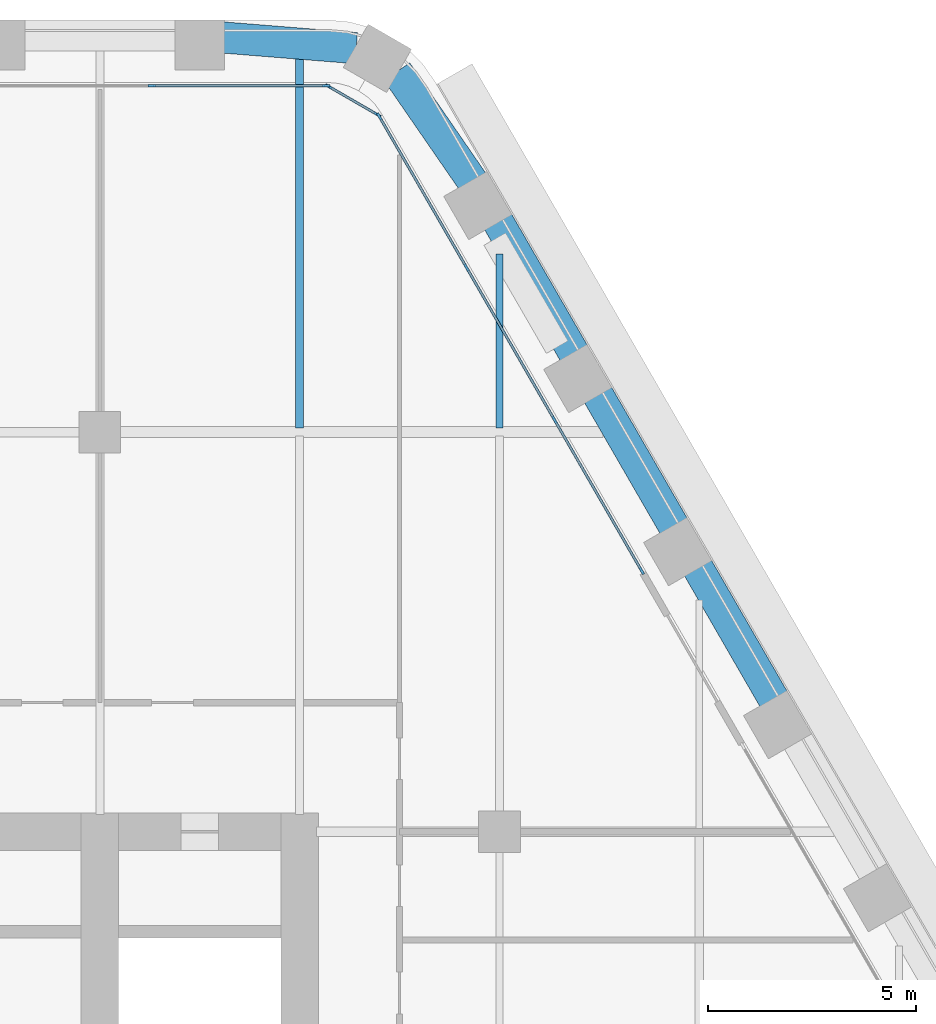
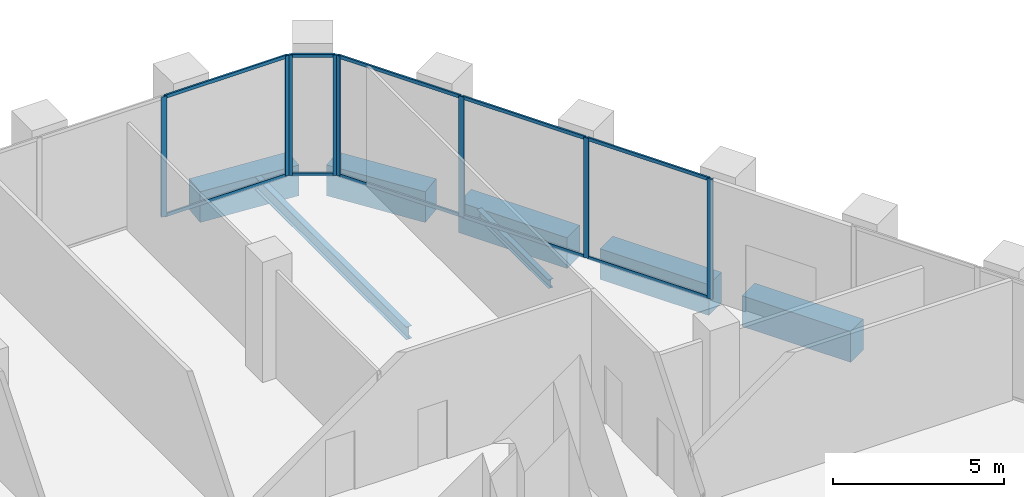
# One storey, part 11 of 27: 18 members, 7 beams, 3 elements without a shape of their own.
"""IFC4 building model written with IfcOpenShell, lengths in metres."""

from ifc_helpers import new_model, si_unit, direction, frame, origin, origin_2d, place, context, subcontext, project, spatial, rectangle, i_section, extrude, material, material_profile, profile_set, type_object, element, aggregate, save


model = new_model("IFC4")

# Units and contexts
model_context = context("Model", 3, precision=1e-05, world=origin(), true_north=direction((0.0, 1.0)))
body_context = subcontext(model_context, "Body", "Model", "MODEL_VIEW")
ifc_project = project(units=[si_unit("LENGTHUNIT", "METRE"), si_unit("AREAUNIT", "SQUARE_METRE"), si_unit("VOLUMEUNIT", "CUBIC_METRE"), si_unit("PLANEANGLEUNIT", "RADIAN"), si_unit("MASSUNIT", "GRAM", prefix="KILO")], contexts=[model_context])

# Site, building, storey
site_placement = place(None, origin())
site = spatial("IfcSite", under=ifc_project, at=site_placement, CompositionType="ELEMENT")
building_placement = place(site_placement, origin())
building = spatial("IfcBuilding", under=site, at=building_placement, Name="Kolab Exchange Tower", CompositionType="ELEMENT")
storey_placement = place(building_placement, frame((0.0, 0.0, 109.39990234375)))
storey = spatial("IfcBuildingStorey", under=building, at=storey_placement, Name="L21", CompositionType="ELEMENT", Elevation=109.39990234375)

# Beams
ifc_material_1 = material(Name="Steel S355", Category="steel")
ifc_material_profile_1 = material_profile(ifc_material_1, i_section(OverallWidth=0.1650390625, OverallDepth=0.31005859375, WebThickness=0.005859375, FlangeThickness=0.009765625, at=origin_2d()), Name="W310X39")
ifc_profile_set_1 = profile_set([ifc_material_profile_1], Name="Steel S355")
beam_type_1 = type_object("IfcBeamType", Name="FLOOR BEAM W310X39", PredefinedType="BEAM", material=ifc_profile_set_1)
beam_1_placement = place(storey_placement, frame((19.199951171875, 19.29345703125, -0.35498046875), z_axis=(0.0, 1.0, 0.0), x_axis=(-1.0, 0.0, 0.0)))
element("IfcBeam", 1, at=beam_1_placement, inside=storey, type_object=beam_type_1, Name="beam/L21/fr/045", PredefinedType="BEAM", context=body_context, shape_type="SweptSolid", body=[
    extrude(i_section(OverallWidth=0.1650390625, OverallDepth=0.31005859375, WebThickness=0.005859375, FlangeThickness=0.009765625, at=origin_2d()), origin(), (0.0, 0.0, 1.0), 4.18798828125),
])
ifc_material_profile_2 = material_profile(ifc_material_1, i_section(OverallWidth=0.18994140625, OverallDepth=0.45703125, WebThickness=0.009033203125, FlangeThickness=0.014404296875, at=origin_2d()), Name="W460X74")
ifc_profile_set_2 = profile_set([ifc_material_profile_2], Name="Steel S355")
beam_type_2 = type_object("IfcBeamType", Name="FLOOR BEAM W460X74", PredefinedType="BEAM", material=ifc_profile_set_2)
beam_2_placement = place(storey_placement, frame((14.39990234375, 19.29345703125, -0.428466796875), z_axis=(0.0, 1.0, 0.0), x_axis=(-1.0, 0.0, 0.0)))
element("IfcBeam", 2, at=beam_2_placement, inside=storey, type_object=beam_type_2, Name="beam/L21/fr/039", PredefinedType="BEAM", context=body_context, shape_type="SweptSolid", body=[
    extrude(i_section(OverallWidth=0.18994140625, OverallDepth=0.45703125, WebThickness=0.009033203125, FlangeThickness=0.014404296875, at=origin_2d()), origin(), (0.0, 0.0, 1.0), 8.901123046875),
])
ifc_material_2 = material(Name="Concrete C70/85", Category="concrete")
ifc_material_profile_3 = material_profile(ifc_material_2, rectangle(XDim=0.75, YDim=1.10009765625, at=origin_2d()), Name="RC750X1100")
ifc_profile_set_3 = profile_set([ifc_material_profile_3], Name="Concrete C70/85")
beam_type_3 = type_object("IfcBeamType", Name="SPANDREL BEAM 750X1100 C70/85", PredefinedType="BEAM", material=ifc_profile_set_3)
for number, where, z_axis, x_axis, name in (
    (3, (12.56005859375, 28.678466796875, -0.75), (0.996791038408, -0.080047646748, 0.0), (0.080047646748, 0.996791038408, 0.0), "beam/L21/sp/F1-07"),
    (4, (16.73486328125, 27.85791015625, -0.75), (0.567661826262, -0.823261836237, 0.0), (0.823261836237, 0.567661826262, 0.0), "beam/L21/sp/F2-01"),
):
    element("IfcBeam", number, at=place(storey_placement, frame(where, z_axis=z_axis, x_axis=x_axis)), inside=storey, type_object=beam_type_3, Name=name, PredefinedType="BEAM", context=body_context, shape_type="SweptSolid", body=[
        extrude(rectangle(XDim=0.75, YDim=1.10009765625, at=origin_2d()), origin(), (0.0, 0.0, 1.0), 3.20849609375),
    ])
for number, where, z_axis, x_axis, name in (
    (5, (19.1552734375, 24.26904296875, -0.75), (0.500013413428, -0.866017659399, 0.0), (0.866017659399, 0.500013413428, 0.0), "beam/L21/sp/F2-02"),
    (6, (21.55517578125, 20.112060546875, -0.75), (0.500013413428, -0.866017659399, 0.0), (0.866017659399, 0.500013413428, 0.0), "beam/L21/sp/F2-03"),
):
    element("IfcBeam", number, at=place(storey_placement, frame(where, z_axis=z_axis, x_axis=x_axis)), inside=storey, type_object=beam_type_3, Name=name, PredefinedType="BEAM", context=body_context, shape_type="SweptSolid", body=[
        extrude(rectangle(XDim=0.75, YDim=1.10009765625, at=origin_2d()), origin(), (0.0, 0.0, 1.0), 3.68017578125),
    ])
beam_3_placement = place(storey_placement, frame((23.955322265625, 15.955322265625, -0.75), z_axis=(0.499963655964, -0.866046386007, 0.0), x_axis=(0.866046386007, 0.499963655964, 0.0)))
element("IfcBeam", 7, at=beam_3_placement, inside=storey, type_object=beam_type_3, Name="beam/L21/sp/F2-04", PredefinedType="BEAM", context=body_context, shape_type="SweptSolid", body=[
    extrude(rectangle(XDim=0.75, YDim=1.10009765625, at=origin_2d()), origin(), (0.0, 0.0, 1.0), 3.679931640625),
])

# Curtain wall, members
ifc_material_3 = material(Name="Aluminium EN AW-6063 T6", Category="aluminium")
curtain_wall_type = type_object("IfcCurtainWallType", Name="UNITISED LOWER MID ZONE CURTAIN WALL", PredefinedType="NOTDEFINED", material=ifc_material_3)
curtain_wall_1_placement = place(storey_placement, origin())
curtain_wall_1 = element("IfcCurtainWall", 8, at=curtain_wall_1_placement, inside=storey, type_object=curtain_wall_type, Name="cw/L21/F1-2", PredefinedType="NOTDEFINED")
ifc_material_profile_4 = material_profile(ifc_material_3, rectangle(XDim=0.06005859375, YDim=0.179931640625, at=origin_2d()), Name="RECT 60X180")
ifc_profile_set_4 = profile_set([ifc_material_profile_4], Name="Aluminium EN AW-6063 T6")
member_type_1 = type_object("IfcMemberType", Name="UNITISED LOWER MID ZONE MULLION 60 X 180", PredefinedType="MULLION", material=ifc_profile_set_4)
member_1_placement = place(storey_placement, frame((10.84521484375, 27.5185546875, 0.0), z_axis=(0.0, 0.0, 1.0), x_axis=(0.0, 1.0, 0.0)))
member_1 = element("IfcMember", 9, at=member_1_placement, type_object=member_type_1, Name="CW2 mullion 3", PredefinedType="MULLION", context=body_context, shape_type="SweptSolid", body=[
    extrude(rectangle(XDim=0.06005859375, YDim=0.179931640625, at=origin_2d()), origin(), (0.0, 0.0, 1.0), 4.300048828125),
])
member_2_placement = place(storey_placement, frame((15.037841796875, 27.5185546875, 0.0), z_axis=(0.0, 0.0, 1.0), x_axis=(0.0, 1.0, 0.0)))
member_2 = element("IfcMember", 10, at=member_2_placement, type_object=member_type_1, Name="CW2 mullion 4", PredefinedType="MULLION", context=body_context, shape_type="SweptSolid", body=[
    extrude(rectangle(XDim=0.06005859375, YDim=0.179931640625, at=origin_2d()), origin(), (0.0, 0.0, 1.0), 4.300048828125),
])

curtain_wall_2_placement = place(storey_placement, origin())
curtain_wall_2 = element("IfcCurtainWall", 11, at=curtain_wall_2_placement, inside=storey, type_object=curtain_wall_type, Name="cw/L21/F2-1", PredefinedType="NOTDEFINED")
member_3_placement = place(storey_placement, frame((16.312744140625, 26.782470703125, 0.0), z_axis=(0.0, 0.0, 1.0), x_axis=(0.866025393644, 0.500000017564, 0.0)))
member_3 = element("IfcMember", 12, at=member_3_placement, type_object=member_type_1, Name="CW2 mullion 1", PredefinedType="MULLION", context=body_context, shape_type="SweptSolid", body=[
    extrude(rectangle(XDim=0.06005859375, YDim=0.179931640625, at=origin_2d()), origin(), (0.0, 0.0, 1.0), 4.300048828125),
])
member_4_placement = place(storey_placement, frame((18.408935546875, 23.151611328125, 0.0), z_axis=(0.0, 0.0, 1.0), x_axis=(0.866025393644, 0.500000017564, 0.0)))
member_4 = element("IfcMember", 13, at=member_4_placement, type_object=member_type_1, Name="CW2 mullion 2", PredefinedType="MULLION", context=body_context, shape_type="SweptSolid", body=[
    extrude(rectangle(XDim=0.06005859375, YDim=0.179931640625, at=origin_2d()), origin(), (0.0, 0.0, 1.0), 4.300048828125),
])
member_5_placement = place(storey_placement, frame((20.520263671875, 19.49462890625, 0.0), z_axis=(0.0, 0.0, 1.0), x_axis=(0.866025393644, 0.500000017564, 0.0)))
member_5 = element("IfcMember", 14, at=member_5_placement, type_object=member_type_1, Name="CW2 mullion 3", PredefinedType="MULLION", context=body_context, shape_type="SweptSolid", body=[
    extrude(rectangle(XDim=0.06005859375, YDim=0.179931640625, at=origin_2d()), origin(), (0.0, 0.0, 1.0), 4.300048828125),
])
member_6_placement = place(storey_placement, frame((22.61669921875, 15.86376953125, 0.0), z_axis=(0.0, 0.0, 1.0), x_axis=(0.866025393644, 0.500000017564, 0.0)))
member_6 = element("IfcMember", 15, at=member_6_placement, type_object=member_type_1, Name="CW2 mullion 4", PredefinedType="MULLION", context=body_context, shape_type="SweptSolid", body=[
    extrude(rectangle(XDim=0.06005859375, YDim=0.179931640625, at=origin_2d()), origin(), (0.0, 0.0, 1.0), 4.300048828125),
])

curtain_wall_3_placement = place(storey_placement, origin())
curtain_wall_3 = element("IfcCurtainWall", 16, at=curtain_wall_3_placement, inside=storey, type_object=curtain_wall_type, Name="cw/L21/F1F2-corner", PredefinedType="NOTDEFINED")
member_7_placement = place(storey_placement, frame((15.093994140625, 27.50341796875, 0.0), z_axis=(0.0, 0.0, 1.0), x_axis=(0.50000002237, 0.866025390869, 0.0)))
member_7 = element("IfcMember", 17, at=member_7_placement, type_object=member_type_1, Name="CW2 mullion 1", PredefinedType="MULLION", context=body_context, shape_type="SweptSolid", body=[
    extrude(rectangle(XDim=0.06005859375, YDim=0.179931640625, at=origin_2d()), origin(), (0.0, 0.0, 1.0), 4.300048828125),
])
member_8_placement = place(storey_placement, frame((16.271728515625, 26.823486328125, 0.0), z_axis=(0.0, 0.0, 1.0), x_axis=(0.50000002237, 0.866025390869, 0.0)))
member_8 = element("IfcMember", 18, at=member_8_placement, type_object=member_type_1, Name="CW2 mullion 2", PredefinedType="MULLION", context=body_context, shape_type="SweptSolid", body=[
    extrude(rectangle(XDim=0.06005859375, YDim=0.179931640625, at=origin_2d()), origin(), (0.0, 0.0, 1.0), 4.300048828125),
])

# Member
ifc_material_profile_5 = material_profile(ifc_material_3, rectangle(XDim=0.06005859375, YDim=0.1201171875, at=origin_2d()), Name="RECT 60X120")
ifc_profile_set_5 = profile_set([ifc_material_profile_5], Name="Aluminium EN AW-6063 T6")
member_type_2 = type_object("IfcMemberType", Name="UNITISED LOWER MID ZONE TRANSOM 60 X 120", PredefinedType="USERDEFINED", material=ifc_profile_set_5)
member_9_placement = place(storey_placement, frame((10.875244140625, 27.5185546875, 0.030029296875), z_axis=(1.0, 0.0, 0.0), x_axis=(0.0, 1.0, 0.0)))
member_9 = element("IfcMember", 19, at=member_9_placement, type_object=member_type_2, Name="CW2 transom 3.1", ObjectType="TRANSOM", PredefinedType="USERDEFINED", context=body_context, shape_type="SweptSolid", body=[
    extrude(rectangle(XDim=0.06005859375, YDim=0.1201171875, at=origin_2d()), origin(), (0.0, 0.0, 1.0), 4.1328125),
])

member_10_placement = place(storey_placement, frame((10.875244140625, 27.5185546875, 4.27001953125), z_axis=(1.0, 0.0, 0.0), x_axis=(0.0, 1.0, 0.0)))
member_10 = element("IfcMember", 20, at=member_10_placement, type_object=member_type_2, Name="CW2 transom 3.2", ObjectType="TRANSOM", PredefinedType="USERDEFINED", context=body_context, shape_type="SweptSolid", body=[
    extrude(rectangle(XDim=0.06005859375, YDim=0.1201171875, at=origin_2d()), origin(), (0.0, 0.0, 1.0), 4.1328125),
])

aggregate(curtain_wall_1, [member_1, member_2, member_9, member_10])

member_11_placement = place(storey_placement, frame((16.32763671875, 26.756591796875, 0.030029296875), z_axis=(0.500001996123, -0.866024251319, 0.0), x_axis=(0.866024251319, 0.500001996123, 0.0)))
member_11 = element("IfcMember", 21, at=member_11_placement, type_object=member_type_2, Name="CW2 transom 1.1", ObjectType="TRANSOM", PredefinedType="USERDEFINED", context=body_context, shape_type="SweptSolid", body=[
    extrude(rectangle(XDim=0.06005859375, YDim=0.1201171875, at=origin_2d()), origin(), (0.0, 0.0, 1.0), 4.1328125),
])

member_12_placement = place(storey_placement, frame((16.32763671875, 26.756591796875, 4.27001953125), z_axis=(0.500001996123, -0.866024251319, 0.0), x_axis=(0.866024251319, 0.500001996123, 0.0)))
member_12 = element("IfcMember", 22, at=member_12_placement, type_object=member_type_2, Name="CW2 transom 1.2", ObjectType="TRANSOM", PredefinedType="USERDEFINED", context=body_context, shape_type="SweptSolid", body=[
    extrude(rectangle(XDim=0.06005859375, YDim=0.1201171875, at=origin_2d()), origin(), (0.0, 0.0, 1.0), 4.1328125),
])

member_13_placement = place(storey_placement, frame((18.424072265625, 23.12548828125, 0.030029296875), z_axis=(0.49999322259, -0.866029316688, 0.0), x_axis=(0.866029316688, 0.49999322259, 0.0)))
member_13 = element("IfcMember", 23, at=member_13_placement, type_object=member_type_2, Name="CW2 transom 2.1", ObjectType="TRANSOM", PredefinedType="USERDEFINED", context=body_context, shape_type="SweptSolid", body=[
    extrude(rectangle(XDim=0.06005859375, YDim=0.1201171875, at=origin_2d()), origin(), (0.0, 0.0, 1.0), 4.16259765625),
])

member_14_placement = place(storey_placement, frame((18.424072265625, 23.12548828125, 4.27001953125), z_axis=(0.49999322259, -0.866029316688, 0.0), x_axis=(0.866029316688, 0.49999322259, 0.0)))
member_14 = element("IfcMember", 24, at=member_14_placement, type_object=member_type_2, Name="CW2 transom 2.2", ObjectType="TRANSOM", PredefinedType="USERDEFINED", context=body_context, shape_type="SweptSolid", body=[
    extrude(rectangle(XDim=0.06005859375, YDim=0.1201171875, at=origin_2d()), origin(), (0.0, 0.0, 1.0), 4.16259765625),
])

member_15_placement = place(storey_placement, frame((20.535400390625, 19.46875, 0.030029296875), z_axis=(0.499957688808, -0.866049830784, 0.0), x_axis=(0.866049830784, 0.499957688808, 0.0)))
member_15 = element("IfcMember", 25, at=member_15_placement, type_object=member_type_2, Name="CW2 transom 3.1", ObjectType="TRANSOM", PredefinedType="USERDEFINED", context=body_context, shape_type="SweptSolid", body=[
    extrude(rectangle(XDim=0.06005859375, YDim=0.1201171875, at=origin_2d()), origin(), (0.0, 0.0, 1.0), 4.132568359375),
])

member_16_placement = place(storey_placement, frame((20.535400390625, 19.46875, 4.27001953125), z_axis=(0.499957688808, -0.866049830784, 0.0), x_axis=(0.866049830784, 0.499957688808, 0.0)))
member_16 = element("IfcMember", 26, at=member_16_placement, type_object=member_type_2, Name="CW2 transom 3.2", ObjectType="TRANSOM", PredefinedType="USERDEFINED", context=body_context, shape_type="SweptSolid", body=[
    extrude(rectangle(XDim=0.06005859375, YDim=0.1201171875, at=origin_2d()), origin(), (0.0, 0.0, 1.0), 4.132568359375),
])

aggregate(curtain_wall_2, [member_3, member_4, member_5, member_6, member_11, member_12, member_13, member_14, member_15, member_16])

member_17_placement = place(storey_placement, frame((15.119873046875, 27.488525390625, 0.030029296875), z_axis=(0.866004217611, -0.500036693733, 0.0), x_axis=(0.500036693733, 0.866004217611, 0.0)))
member_17 = element("IfcMember", 27, at=member_17_placement, type_object=member_type_2, Name="CW2 transom 1.1", ObjectType="TRANSOM", PredefinedType="USERDEFINED", context=body_context, shape_type="SweptSolid", body=[
    extrude(rectangle(XDim=0.06005859375, YDim=0.1201171875, at=origin_2d()), origin(), (0.0, 0.0, 1.0), 1.30029296875),
])

member_18_placement = place(storey_placement, frame((15.119873046875, 27.488525390625, 4.27001953125), z_axis=(0.866004217611, -0.500036693733, 0.0), x_axis=(0.500036693733, 0.866004217611, 0.0)))
member_18 = element("IfcMember", 28, at=member_18_placement, type_object=member_type_2, Name="CW2 transom 1.2", ObjectType="TRANSOM", PredefinedType="USERDEFINED", context=body_context, shape_type="SweptSolid", body=[
    extrude(rectangle(XDim=0.06005859375, YDim=0.1201171875, at=origin_2d()), origin(), (0.0, 0.0, 1.0), 1.30029296875),
])

aggregate(curtain_wall_3, [member_7, member_8, member_17, member_18])

save(model, "model.ifc")
